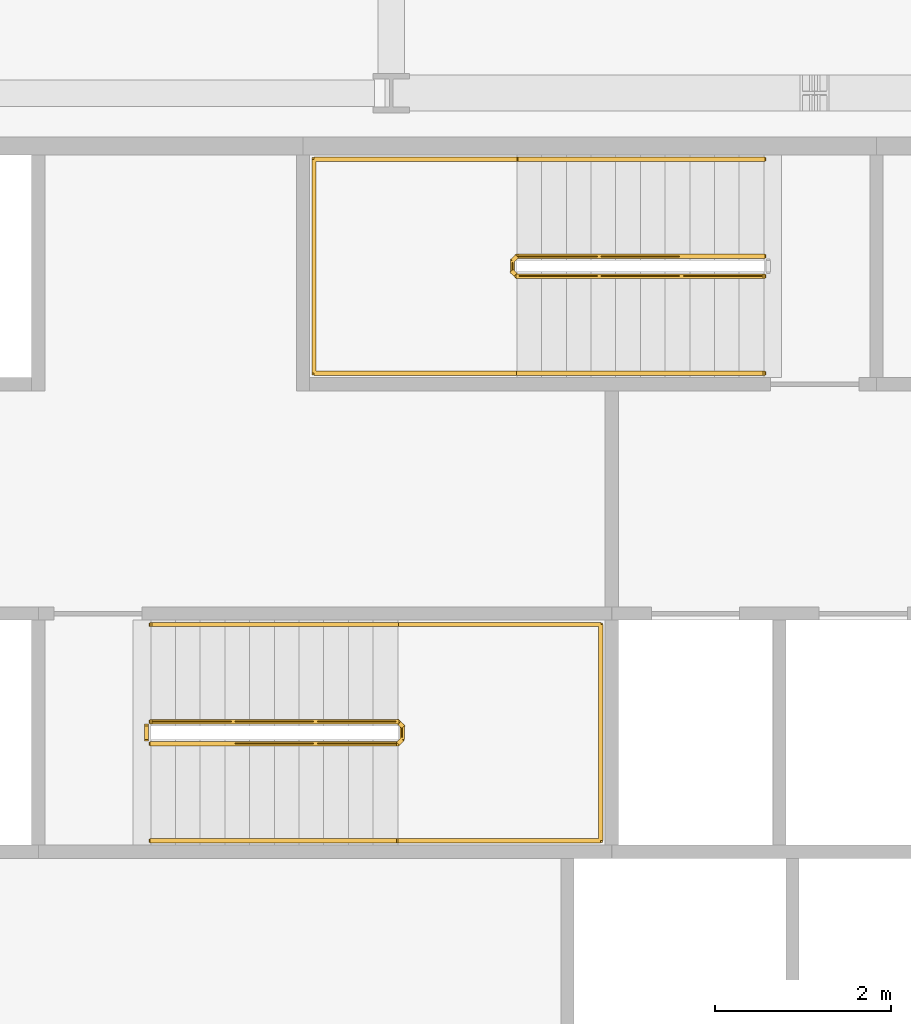
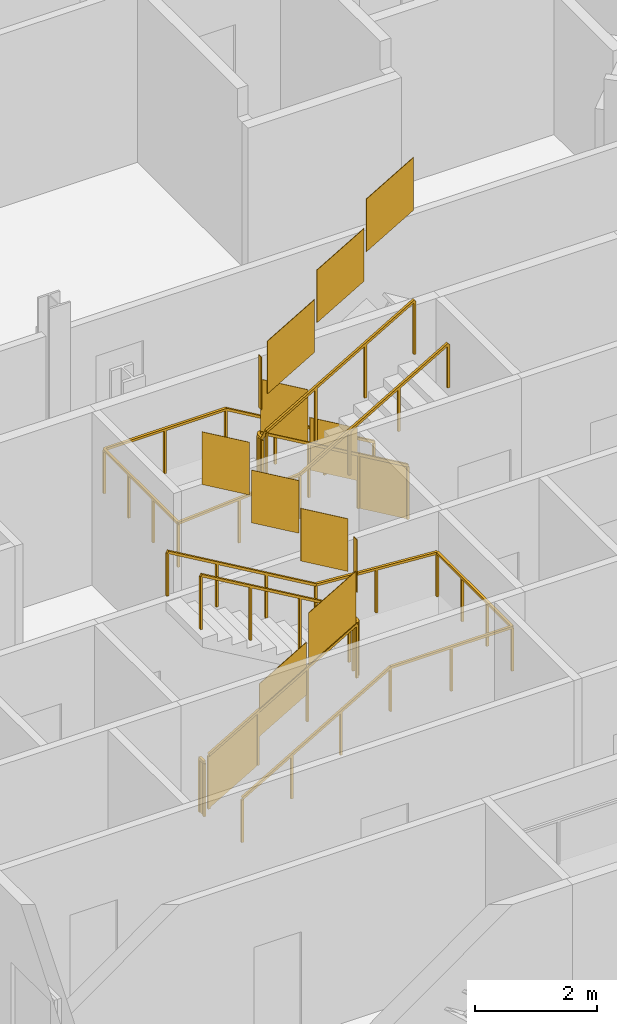
# One storey, part 16 of 21: 5 railings.
"""IFC4 building model written with IfcOpenShell, lengths in metres."""

from ifc_helpers import new_model, si_unit, direction, frame, origin, origin_2d, place, context, subcontext, project, spatial, polyline, rectangle, outline, extrude, material, type_object, element, save


model = new_model("IFC4")

# Units and contexts
model_context = context("Model", 3, precision=1e-05, world=origin(), true_north=direction((0.0, 1.0)))
body_context = subcontext(model_context, "Body", "Model", "MODEL_VIEW")
ifc_project = project(units=[si_unit("LENGTHUNIT", "METRE"), si_unit("AREAUNIT", "SQUARE_METRE"), si_unit("VOLUMEUNIT", "CUBIC_METRE"), si_unit("PLANEANGLEUNIT", "RADIAN"), si_unit("MASSUNIT", "GRAM", prefix="KILO")], contexts=[model_context])

# Site, building, storey
site_placement = place(None, origin())
site = spatial("IfcSite", under=ifc_project, at=site_placement, CompositionType="ELEMENT")
building_placement = place(site_placement, origin())
building = spatial("IfcBuilding", under=site, at=building_placement, Name="Cairn Pilgrim Tower", CompositionType="ELEMENT")
storey_placement = place(building_placement, frame((0.0, 0.0, 183.0)))
storey = spatial("IfcBuildingStorey", under=building, at=storey_placement, Name="L46", CompositionType="ELEMENT", Elevation=183.0)

# Railings
ifc_material = material(Name="Painted steel", Category="steel")
railing_type_1 = type_object("IfcRailingType", Name="STAIR GUARD 1100", PredefinedType="GUARDRAIL", material=ifc_material)
railing_1_placement = place(storey_placement, frame((4.47509765625, 3.425048828125, 0.16357421875)))
element("IfcRailing", 1, at=railing_1_placement, inside=storey, type_object=railing_type_1, Name="L46 ST-B stair guard 1", PredefinedType="GUARDRAIL", context=body_context, shape_type="SweptSolid", body=[
    extrude(rectangle(XDim=0.048095703125, YDim=0.048095703125, at=origin_2d()), frame((0.0, 0.0, 1.076171875), z_axis=(0.863341702679, 0.0, 0.504619762213), x_axis=(0.0, 1.0, 0.0)), (0.0, 0.0, 1.0), 3.242919921875),
    extrude(rectangle(XDim=0.048095703125, YDim=0.048095703125, at=origin_2d()), frame((2.7998046875, 0.0, 2.71240234375), z_axis=(0.707106781187, 0.707106781187, 0.0), x_axis=(-0.707106781187, 0.707106781187, 0.0)), (0.0, 0.0, 1.0), 0.07080078125),
    extrude(rectangle(XDim=0.048095703125, YDim=0.048095703125, at=origin_2d()), frame((2.849853515625, 0.050048828125, 2.71240234375), z_axis=(0.0, 1.0, 0.0), x_axis=(-1.0, 0.0, 0.0)), (0.0, 0.0, 1.0), 0.14990234375),
    extrude(rectangle(XDim=0.048095703125, YDim=0.048095703125, at=origin_2d()), frame((2.849853515625, 0.199951171875, 2.71240234375), z_axis=(-0.280808744504, 0.280808744504, 0.917765164963), x_axis=(-0.707106781187, -0.707106781187, 0.0)), (0.0, 0.0, 1.0), 0.17822265625),
    extrude(rectangle(XDim=0.048095703125, YDim=0.048095703125, at=origin_2d()), frame((2.7998046875, 0.25, 2.8759765625), z_axis=(-0.863341702679, 0.0, 0.504619762213), x_axis=(0.0, -1.0, 0.0)), (0.0, 0.0, 1.0), 3.242919921875),
    extrude(rectangle(XDim=0.0419921875, YDim=0.0419921875, at=origin_2d()), origin(), (0.0, 0.0, 1.0), 1.052001953125),
    extrude(rectangle(XDim=0.0419921875, YDim=0.0419921875, at=origin_2d()), frame((0.933349609375, 0.0, 0.54541015625)), (0.0, 0.0, 1.0), 1.052001953125),
    extrude(rectangle(XDim=0.0419921875, YDim=0.0419921875, at=origin_2d()), frame((1.866455078125, 0.0, 1.091064453125)), (0.0, 0.0, 1.0), 1.052001953125),
    extrude(rectangle(XDim=0.0419921875, YDim=0.0419921875, at=origin_2d()), frame((2.7998046875, 0.0, 1.636474609375)), (0.0, 0.0, 1.0), 1.052001953125),
    extrude(rectangle(XDim=0.0419921875, YDim=0.0419921875, at=origin_2d()), frame((2.849853515625, 0.050048828125, 1.636474609375)), (0.0, 0.0, 1.0), 1.052001953125),
    extrude(rectangle(XDim=0.0419921875, YDim=0.0419921875, at=origin_2d()), frame((2.849853515625, 0.199951171875, 1.636474609375)), (0.0, 0.0, 1.0), 1.052001953125),
    extrude(rectangle(XDim=0.0419921875, YDim=0.0419921875, at=origin_2d()), frame((2.7998046875, 0.25, 1.800048828125)), (0.0, 0.0, 1.0), 1.052001953125),
    extrude(rectangle(XDim=0.0419921875, YDim=0.0419921875, at=origin_2d()), frame((1.866455078125, 0.25, 2.345458984375)), (0.0, 0.0, 1.0), 1.052001953125),
    extrude(rectangle(XDim=0.0419921875, YDim=0.0419921875, at=origin_2d()), frame((0.933349609375, 0.25, 2.89111328125)), (0.0, 0.0, 1.0), 1.052001953125),
    extrude(rectangle(XDim=0.0419921875, YDim=0.0419921875, at=origin_2d()), frame((0.0, 0.25, 3.4365234375)), (0.0, 0.0, 1.0), 1.052001953125),
    extrude(outline(polyline([(0.02099609375, 0.01220703125), (0.912353515625, 0.533203125), (0.912353515625, 1.585205078125), (0.02099609375, 1.064208984375), (0.02099609375, 0.01220703125)])), frame((0.0, 0.005859375, 0.0), z_axis=(0.0, -1.0, 0.0), x_axis=(1.0, 0.0, 0.0)), (0.0, 0.0, 1.0), 0.011962890625),
    extrude(outline(polyline([(0.02099609375, 0.557861328125), (0.912353515625, 1.07861328125), (0.912353515625, 2.130615234375), (0.02099609375, 1.60986328125), (0.02099609375, 0.557861328125)])), frame((0.933349609375, 0.005859375, 0.54541015625), z_axis=(0.0, -1.0, 0.0), x_axis=(1.0, 0.0, 0.0)), (0.0, 0.0, 1.0), 0.011962890625),
    extrude(outline(polyline([(0.02099609375, 1.103271484375), (0.912353515625, 1.624267578125), (0.912353515625, 2.67626953125), (0.02099609375, 2.1552734375), (0.02099609375, 1.103271484375)])), frame((1.866455078125, 0.005859375, 1.091064453125), z_axis=(0.0, -1.0, 0.0), x_axis=(1.0, 0.0, 0.0)), (0.0, 0.0, 1.0), 0.011962890625),
    extrude(outline(polyline([(0.02099609375, 1.636474609375), (0.12890625, 1.636474609375), (0.12890625, 2.6884765625), (0.02099609375, 2.6884765625), (0.02099609375, 1.636474609375)])), frame((2.84375, 0.050048828125, 1.636474609375), z_axis=(1.0, 0.0, 0.0), x_axis=(0.0, 1.0, 0.0)), (0.0, 0.0, 1.0), 0.011962890625),
    extrude(outline(polyline([(0.02099609375, 1.812255859375), (0.912353515625, 2.333251953125), (0.912353515625, 3.38525390625), (0.02099609375, 2.8642578125), (0.02099609375, 1.812255859375)])), frame((2.7998046875, 0.244140625, 1.800048828125), z_axis=(0.0, 1.0, 0.0), x_axis=(-1.0, 0.0, 0.0)), (0.0, 0.0, 1.0), 0.011962890625),
    extrude(outline(polyline([(0.02099609375, 2.35791015625), (0.912353515625, 2.878662109375), (0.912353515625, 3.9306640625), (0.02099609375, 3.409912109375), (0.02099609375, 2.35791015625)])), frame((1.866455078125, 0.244140625, 2.345458984375), z_axis=(0.0, 1.0, 0.0), x_axis=(-1.0, 0.0, 0.0)), (0.0, 0.0, 1.0), 0.011962890625),
    extrude(outline(polyline([(0.02099609375, 2.9033203125), (0.912353515625, 3.42431640625), (0.912353515625, 4.476318359375), (0.02099609375, 3.955322265625), (0.02099609375, 2.9033203125)])), frame((0.933349609375, 0.244140625, 2.89111328125), z_axis=(0.0, 1.0, 0.0), x_axis=(-1.0, 0.0, 0.0)), (0.0, 0.0, 1.0), 0.011962890625),
])
railing_2_placement = place(storey_placement, frame((4.425048828125, 3.47509765625, 0.0)))
element("IfcRailing", 2, at=railing_2_placement, inside=storey, type_object=railing_type_1, Name="L46 ST-B stair guard 2", PredefinedType="GUARDRAIL", context=body_context, shape_type="SweptSolid", body=[
    extrude(rectangle(XDim=0.048095703125, YDim=0.048095703125, at=origin_2d()), frame((0.0, 0.0, 1.076171875), z_axis=(0.0, 1.0, 0.0), x_axis=(-1.0, 0.0, 0.0)), (0.0, 0.0, 1.0), 0.14990234375),
    extrude(rectangle(XDim=0.0419921875, YDim=0.0419921875, at=origin_2d()), origin(), (0.0, 0.0, 1.0), 1.052001953125),
    extrude(rectangle(XDim=0.0419921875, YDim=0.0419921875, at=origin_2d()), frame((0.0, 0.14990234375, 0.0)), (0.0, 0.0, 1.0), 1.052001953125),
    extrude(outline(polyline([(0.02099609375, 0.0), (0.12890625, 0.0), (0.12890625, 1.052001953125), (0.02099609375, 1.052001953125), (0.02099609375, 0.0)])), frame((-0.005859375, 0.0, 0.0), z_axis=(1.0, 0.0, 0.0), x_axis=(0.0, 1.0, 0.0)), (0.0, 0.0, 1.0), 0.011962890625),
])
railing_3_placement = place(storey_placement, frame((11.425048828125, 8.949951171875, 0.16357421875)))
element("IfcRailing", 3, at=railing_3_placement, inside=storey, type_object=railing_type_1, Name="L46 ST-C stair guard 1", PredefinedType="GUARDRAIL", context=body_context, shape_type="SweptSolid", body=[
    extrude(rectangle(XDim=0.048095703125, YDim=0.048095703125, at=origin_2d()), frame((0.0, 0.0, 1.076171875), z_axis=(-0.863360870873, 0.0, 0.504586966384), x_axis=(0.0, -1.0, 0.0)), (0.0, 0.0, 1.0), 3.2431640625),
    extrude(rectangle(XDim=0.048095703125, YDim=0.048095703125, at=origin_2d()), frame((-2.800048828125, 0.0, 2.71240234375), z_axis=(-0.707106781187, -0.707106781187, 0.0), x_axis=(0.707106781187, -0.707106781187, 0.0)), (0.0, 0.0, 1.0), 0.07080078125),
    extrude(rectangle(XDim=0.048095703125, YDim=0.048095703125, at=origin_2d()), frame((-2.85009765625, -0.050048828125, 2.71240234375), z_axis=(0.0, -1.0, 0.0), x_axis=(1.0, 0.0, 0.0)), (0.0, 0.0, 1.0), 0.125),
    extrude(rectangle(XDim=0.048095703125, YDim=0.048095703125, at=origin_2d()), frame((-2.85009765625, -0.175048828125, 2.71240234375), z_axis=(0.280916556609, -0.279546231943, 0.91811752648), x_axis=(0.705375805398, 0.708833529934, 0.0)), (0.0, 0.0, 1.0), 0.17822265625),
    extrude(rectangle(XDim=0.048095703125, YDim=0.048095703125, at=origin_2d()), frame((-2.800048828125, -0.224853515625, 2.8759765625), z_axis=(0.863360870873, 0.0, 0.504586966384), x_axis=(0.0, 1.0, 0.0)), (0.0, 0.0, 1.0), 3.2431640625),
    extrude(rectangle(XDim=0.0419921875, YDim=0.0419921875, at=origin_2d()), origin(), (0.0, 0.0, 1.0), 1.052001953125),
    extrude(rectangle(XDim=0.0419921875, YDim=0.0419921875, at=origin_2d()), frame((-0.933349609375, 0.0, 0.54541015625)), (0.0, 0.0, 1.0), 1.052001953125),
    extrude(rectangle(XDim=0.0419921875, YDim=0.0419921875, at=origin_2d()), frame((-1.86669921875, 0.0, 1.091064453125)), (0.0, 0.0, 1.0), 1.052001953125),
    extrude(rectangle(XDim=0.0419921875, YDim=0.0419921875, at=origin_2d()), frame((-2.800048828125, 0.0, 1.636474609375)), (0.0, 0.0, 1.0), 1.052001953125),
    extrude(rectangle(XDim=0.0419921875, YDim=0.0419921875, at=origin_2d()), frame((-2.85009765625, -0.050048828125, 1.636474609375)), (0.0, 0.0, 1.0), 1.052001953125),
    extrude(rectangle(XDim=0.0419921875, YDim=0.0419921875, at=origin_2d()), frame((-2.85009765625, -0.175048828125, 1.636474609375)), (0.0, 0.0, 1.0), 1.052001953125),
    extrude(rectangle(XDim=0.0419921875, YDim=0.0419921875, at=origin_2d()), frame((-2.800048828125, -0.224853515625, 1.800048828125)), (0.0, 0.0, 1.0), 1.052001953125),
    extrude(rectangle(XDim=0.0419921875, YDim=0.0419921875, at=origin_2d()), frame((-1.86669921875, -0.224853515625, 2.345458984375)), (0.0, 0.0, 1.0), 1.052001953125),
    extrude(rectangle(XDim=0.0419921875, YDim=0.0419921875, at=origin_2d()), frame((-0.933349609375, -0.224853515625, 2.89111328125)), (0.0, 0.0, 1.0), 1.052001953125),
    extrude(rectangle(XDim=0.0419921875, YDim=0.0419921875, at=origin_2d()), frame((0.0, -0.224853515625, 3.4365234375)), (0.0, 0.0, 1.0), 1.052001953125),
    extrude(outline(polyline([(0.02099609375, 0.01220703125), (0.912353515625, 0.533203125), (0.912353515625, 1.585205078125), (0.02099609375, 1.064208984375), (0.02099609375, 0.01220703125)])), frame((0.0, -0.005859375, 0.0), z_axis=(0.0, 1.0, 0.0), x_axis=(-1.0, 0.0, 0.0)), (0.0, 0.0, 1.0), 0.011962890625),
    extrude(outline(polyline([(0.02099609375, 0.557861328125), (0.912353515625, 1.07861328125), (0.912353515625, 2.130615234375), (0.02099609375, 1.60986328125), (0.02099609375, 0.557861328125)])), frame((-0.933349609375, -0.005859375, 0.54541015625), z_axis=(0.0, 1.0, 0.0), x_axis=(-1.0, 0.0, 0.0)), (0.0, 0.0, 1.0), 0.011962890625),
    extrude(outline(polyline([(0.02099609375, 1.103271484375), (0.912353515625, 1.624267578125), (0.912353515625, 2.67626953125), (0.02099609375, 2.1552734375), (0.02099609375, 1.103271484375)])), frame((-1.86669921875, -0.005859375, 1.091064453125), z_axis=(0.0, 1.0, 0.0), x_axis=(-1.0, 0.0, 0.0)), (0.0, 0.0, 1.0), 0.011962890625),
    extrude(outline(polyline([(0.02099609375, 1.636474609375), (0.10400390625, 1.636474609375), (0.10400390625, 2.6884765625), (0.02099609375, 2.6884765625), (0.02099609375, 1.636474609375)])), frame((-2.84423828125, -0.050048828125, 1.636474609375), z_axis=(-1.0, 0.0, 0.0), x_axis=(0.0, -1.0, 0.0)), (0.0, 0.0, 1.0), 0.011962890625),
    extrude(outline(polyline([(0.02099609375, 1.812255859375), (0.912353515625, 2.333251953125), (0.912353515625, 3.38525390625), (0.02099609375, 2.8642578125), (0.02099609375, 1.812255859375)])), frame((-2.800048828125, -0.21875, 1.800048828125), z_axis=(0.0, -1.0, 0.0), x_axis=(1.0, 0.0, 0.0)), (0.0, 0.0, 1.0), 0.011962890625),
    extrude(outline(polyline([(0.02099609375, 2.35791015625), (0.912353515625, 2.878662109375), (0.912353515625, 3.9306640625), (0.02099609375, 3.409912109375), (0.02099609375, 2.35791015625)])), frame((-1.86669921875, -0.21875, 2.345458984375), z_axis=(0.0, -1.0, 0.0), x_axis=(1.0, 0.0, 0.0)), (0.0, 0.0, 1.0), 0.011962890625),
    extrude(outline(polyline([(0.02099609375, 2.9033203125), (0.912353515625, 3.42431640625), (0.912353515625, 4.476318359375), (0.02099609375, 3.955322265625), (0.02099609375, 2.9033203125)])), frame((-0.933349609375, -0.21875, 2.89111328125), z_axis=(0.0, -1.0, 0.0), x_axis=(1.0, 0.0, 0.0)), (0.0, 0.0, 1.0), 0.011962890625),
])
railing_type_2 = type_object("IfcRailingType", Name="STAIR HANDRAIL 900", PredefinedType="HANDRAIL", material=ifc_material)
railing_4_placement = place(storey_placement, frame((4.47509765625, 2.324951171875, 0.16357421875)))
element("IfcRailing", 4, at=railing_4_placement, inside=storey, type_object=railing_type_2, Name="L46 ST-B stair handrail 1", PredefinedType="HANDRAIL", context=body_context, shape_type="SweptSolid", body=[
    extrude(rectangle(XDim=0.048095703125, YDim=0.048095703125, at=origin_2d()), frame((0.0, 0.0, 0.8759765625), z_axis=(0.863341702679, 0.0, 0.504619762213), x_axis=(0.0, 1.0, 0.0)), (0.0, 0.0, 1.0), 3.242919921875),
    extrude(rectangle(XDim=0.048095703125, YDim=0.048095703125, at=origin_2d()), frame((2.7998046875, 0.0, 2.51220703125), z_axis=(1.0, 0.0, 0.0), x_axis=(0.0, 1.0, 0.0)), (0.0, 0.0, 1.0), 2.300048828125),
    extrude(rectangle(XDim=0.048095703125, YDim=0.048095703125, at=origin_2d()), frame((5.099853515625, 0.0, 2.51220703125), z_axis=(0.0, 1.0, 0.0), x_axis=(-1.0, 0.0, 0.0)), (0.0, 0.0, 1.0), 2.449951171875),
    extrude(rectangle(XDim=0.048095703125, YDim=0.048095703125, at=origin_2d()), frame((5.099853515625, 2.449951171875, 2.51220703125), z_axis=(-0.997480687736, 0.0, 0.070938548008), x_axis=(0.0, -1.0, 0.0)), (0.0, 0.0, 1.0), 2.305908203125),
    extrude(rectangle(XDim=0.048095703125, YDim=0.048095703125, at=origin_2d()), frame((2.7998046875, 2.449951171875, 2.67578125), z_axis=(-0.863341702679, 0.0, 0.504619762213), x_axis=(0.0, -1.0, 0.0)), (0.0, 0.0, 1.0), 3.242919921875),
    extrude(rectangle(XDim=0.0419921875, YDim=0.0419921875, at=origin_2d()), origin(), (0.0, 0.0, 1.0), 0.851806640625),
    extrude(rectangle(XDim=0.0419921875, YDim=0.0419921875, at=origin_2d()), frame((0.933349609375, 0.0, 0.54541015625)), (0.0, 0.0, 1.0), 0.851806640625),
    extrude(rectangle(XDim=0.0419921875, YDim=0.0419921875, at=origin_2d()), frame((1.866455078125, 0.0, 1.091064453125)), (0.0, 0.0, 1.0), 0.851806640625),
    extrude(rectangle(XDim=0.0419921875, YDim=0.0419921875, at=origin_2d()), frame((2.7998046875, 0.0, 1.636474609375)), (0.0, 0.0, 1.0), 0.851806640625),
    extrude(rectangle(XDim=0.0419921875, YDim=0.0419921875, at=origin_2d()), frame((3.94970703125, 0.0, 1.636474609375)), (0.0, 0.0, 1.0), 0.851806640625),
    extrude(rectangle(XDim=0.0419921875, YDim=0.0419921875, at=origin_2d()), frame((5.099853515625, 0.0, 1.636474609375)), (0.0, 0.0, 1.0), 0.851806640625),
    extrude(rectangle(XDim=0.0419921875, YDim=0.0419921875, at=origin_2d()), frame((5.099853515625, 0.816650390625, 1.636474609375)), (0.0, 0.0, 1.0), 0.851806640625),
    extrude(rectangle(XDim=0.0419921875, YDim=0.0419921875, at=origin_2d()), frame((5.099853515625, 1.63330078125, 1.636474609375)), (0.0, 0.0, 1.0), 0.851806640625),
    extrude(rectangle(XDim=0.0419921875, YDim=0.0419921875, at=origin_2d()), frame((5.099853515625, 2.449951171875, 1.636474609375)), (0.0, 0.0, 1.0), 0.851806640625),
    extrude(rectangle(XDim=0.0419921875, YDim=0.0419921875, at=origin_2d()), frame((3.94970703125, 2.449951171875, 1.71826171875)), (0.0, 0.0, 1.0), 0.851806640625),
    extrude(rectangle(XDim=0.0419921875, YDim=0.0419921875, at=origin_2d()), frame((2.7998046875, 2.449951171875, 1.800048828125)), (0.0, 0.0, 1.0), 0.851806640625),
    extrude(rectangle(XDim=0.0419921875, YDim=0.0419921875, at=origin_2d()), frame((1.866455078125, 2.449951171875, 2.345458984375)), (0.0, 0.0, 1.0), 0.851806640625),
    extrude(rectangle(XDim=0.0419921875, YDim=0.0419921875, at=origin_2d()), frame((0.933349609375, 2.449951171875, 2.89111328125)), (0.0, 0.0, 1.0), 0.851806640625),
    extrude(rectangle(XDim=0.0419921875, YDim=0.0419921875, at=origin_2d()), frame((0.0, 2.449951171875, 3.4365234375)), (0.0, 0.0, 1.0), 0.851806640625),
])
railing_5_placement = place(storey_placement, frame((11.425048828125, 10.050048828125, 0.16357421875)))
element("IfcRailing", 5, at=railing_5_placement, inside=storey, type_object=railing_type_2, Name="L46 ST-C stair handrail 1", PredefinedType="HANDRAIL", context=body_context, shape_type="SweptSolid", body=[
    extrude(rectangle(XDim=0.048095703125, YDim=0.048095703125, at=origin_2d()), frame((0.0, 0.0, 0.8759765625), z_axis=(-0.863360870873, 0.0, 0.504586966384), x_axis=(0.0, -1.0, 0.0)), (0.0, 0.0, 1.0), 3.2431640625),
    extrude(rectangle(XDim=0.048095703125, YDim=0.048095703125, at=origin_2d()), frame((-2.800048828125, 0.0, 2.51220703125), z_axis=(-1.0, 0.0, 0.0), x_axis=(0.0, -1.0, 0.0)), (0.0, 0.0, 1.0), 2.300048828125),
    extrude(rectangle(XDim=0.048095703125, YDim=0.048095703125, at=origin_2d()), frame((-5.10009765625, 0.0, 2.51220703125), z_axis=(0.0, -1.0, 0.0), x_axis=(1.0, 0.0, 0.0)), (0.0, 0.0, 1.0), 2.425048828125),
    extrude(rectangle(XDim=0.048095703125, YDim=0.048095703125, at=origin_2d()), frame((-5.10009765625, -2.425048828125, 2.51220703125), z_axis=(0.997480687736, 0.0, 0.070938548008), x_axis=(0.0, 1.0, 0.0)), (0.0, 0.0, 1.0), 2.305908203125),
    extrude(rectangle(XDim=0.048095703125, YDim=0.048095703125, at=origin_2d()), frame((-2.800048828125, -2.425048828125, 2.67578125), z_axis=(0.863360870873, 0.0, 0.504586966384), x_axis=(0.0, 1.0, 0.0)), (0.0, 0.0, 1.0), 3.2431640625),
    extrude(rectangle(XDim=0.0419921875, YDim=0.0419921875, at=origin_2d()), origin(), (0.0, 0.0, 1.0), 0.851806640625),
    extrude(rectangle(XDim=0.0419921875, YDim=0.0419921875, at=origin_2d()), frame((-0.933349609375, 0.0, 0.54541015625)), (0.0, 0.0, 1.0), 0.851806640625),
    extrude(rectangle(XDim=0.0419921875, YDim=0.0419921875, at=origin_2d()), frame((-1.86669921875, 0.0, 1.091064453125)), (0.0, 0.0, 1.0), 0.851806640625),
    extrude(rectangle(XDim=0.0419921875, YDim=0.0419921875, at=origin_2d()), frame((-2.800048828125, 0.0, 1.636474609375)), (0.0, 0.0, 1.0), 0.851806640625),
    extrude(rectangle(XDim=0.0419921875, YDim=0.0419921875, at=origin_2d()), frame((-3.9501953125, 0.0, 1.636474609375)), (0.0, 0.0, 1.0), 0.851806640625),
    extrude(rectangle(XDim=0.0419921875, YDim=0.0419921875, at=origin_2d()), frame((-5.10009765625, 0.0, 1.636474609375)), (0.0, 0.0, 1.0), 0.851806640625),
    extrude(rectangle(XDim=0.0419921875, YDim=0.0419921875, at=origin_2d()), frame((-5.10009765625, -0.808349609375, 1.636474609375)), (0.0, 0.0, 1.0), 0.851806640625),
    extrude(rectangle(XDim=0.0419921875, YDim=0.0419921875, at=origin_2d()), frame((-5.10009765625, -1.61669921875, 1.636474609375)), (0.0, 0.0, 1.0), 0.851806640625),
    extrude(rectangle(XDim=0.0419921875, YDim=0.0419921875, at=origin_2d()), frame((-5.10009765625, -2.425048828125, 1.636474609375)), (0.0, 0.0, 1.0), 0.851806640625),
    extrude(rectangle(XDim=0.0419921875, YDim=0.0419921875, at=origin_2d()), frame((-3.9501953125, -2.425048828125, 1.71826171875)), (0.0, 0.0, 1.0), 0.851806640625),
    extrude(rectangle(XDim=0.0419921875, YDim=0.0419921875, at=origin_2d()), frame((-2.800048828125, -2.425048828125, 1.800048828125)), (0.0, 0.0, 1.0), 0.851806640625),
    extrude(rectangle(XDim=0.0419921875, YDim=0.0419921875, at=origin_2d()), frame((-1.86669921875, -2.425048828125, 2.345458984375)), (0.0, 0.0, 1.0), 0.851806640625),
    extrude(rectangle(XDim=0.0419921875, YDim=0.0419921875, at=origin_2d()), frame((-0.933349609375, -2.425048828125, 2.89111328125)), (0.0, 0.0, 1.0), 0.851806640625),
    extrude(rectangle(XDim=0.0419921875, YDim=0.0419921875, at=origin_2d()), frame((0.0, -2.425048828125, 3.4365234375)), (0.0, 0.0, 1.0), 0.851806640625),
])

save(model, "model.ifc")
